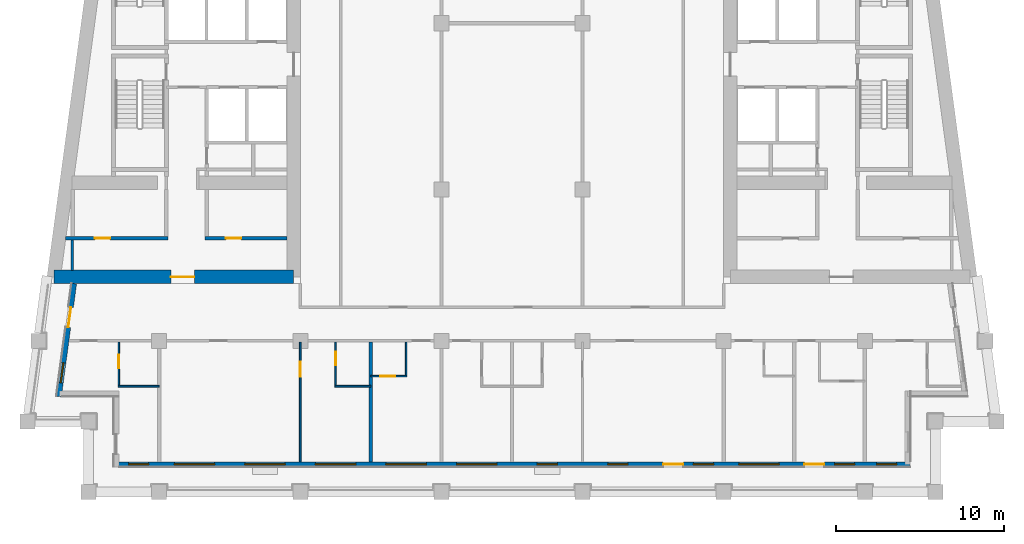
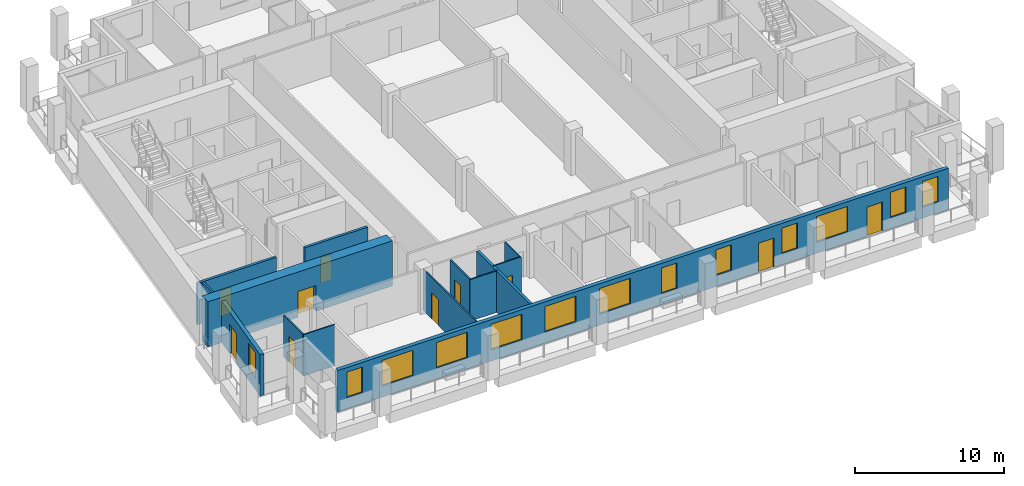
# One storey, part 2 of 12: 14 walls, 13 windows, 10 doors, 23 openings.
"""IFC4 building model written with IfcOpenShell, lengths in metres."""

from ifc_helpers import new_model, si_unit, direction, frame, frame_2d, origin, place, context, subcontext, project, spatial, rectangle, extrude, material, layer, layer_set, type_object, element, fill, save


model = new_model("IFC4")

# Units and contexts
model_context = context("Model", 3, precision=1e-05, world=origin(), true_north=direction((0.0, 1.0)))
body_context = subcontext(model_context, "Body", "Model", "MODEL_VIEW")
ifc_project = project(units=[si_unit("LENGTHUNIT", "METRE"), si_unit("AREAUNIT", "SQUARE_METRE"), si_unit("VOLUMEUNIT", "CUBIC_METRE"), si_unit("PLANEANGLEUNIT", "RADIAN"), si_unit("MASSUNIT", "GRAM", prefix="KILO")], contexts=[model_context])

# Site, building, storey
site_placement = place(None, origin())
site = spatial("IfcSite", under=ifc_project, at=site_placement, CompositionType="ELEMENT")
building_placement = place(site_placement, origin())
building = spatial("IfcBuilding", under=site, at=building_placement, Name="Candeia Pilgrim Tower and Theatre", CompositionType="ELEMENT")
storey_placement = place(building_placement, frame((0.0, 0.0, 235.5)))
storey = spatial("IfcBuildingStorey", under=building, at=storey_placement, Name="L57", CompositionType="ELEMENT", Elevation=235.5)

# Wall, opening, door
ifc_material_1 = material(Name="Concrete C50/60", Category="concrete")
ifc_layer_1 = layer(ifc_material_1, 0.800048828125)
ifc_layer_set_1 = layer_set([ifc_layer_1], Name="Core wall 800 C50/60")
wall_type_1 = type_object("IfcWallType", Name="Core wall 800 C50/60", PredefinedType="SHEAR", material=ifc_layer_set_1)
wall_1_placement = place(storey_placement, frame((100.39990234375, 110.800048828125, 0.0), z_axis=(0.0, 0.0, 1.0), x_axis=(-1.0, 0.0, 0.0)))
wall_1 = element("IfcWall", 1, at=wall_1_placement, inside=storey, type_object=wall_type_1, Name="Core wall W3", PredefinedType="SHEAR", context=body_context, shape_type="SweptSolid", body=[
    extrude(rectangle(XDim=14.273193359375, YDim=0.800048828125, at=frame_2d((7.13671875, 0.0))), origin(), (0.0, 0.0, 1.0), 3.699951171875),
])
opening_1_placement = place(wall_1_placement, frame((5.907958984375, 0.0, 0.0)))
opening_1 = element("IfcOpeningElement", 2, at=opening_1_placement, cuts=wall_1, Name="Opening L57-D047", PredefinedType="OPENING", context=body_context, shape_type="SweptSolid", body=[
    extrude(rectangle(XDim=1.39990234375, YDim=2.10009765625, at=frame_2d((0.699951171875, 1.050048828125))), frame((0.0, 0.41015625, 0.0), z_axis=(0.0, -1.0, 0.0), x_axis=(1.0, 0.0, 0.0)), (0.0, 0.0, 1.0), 0.820068359375),
])
ifc_material_2 = material(Name="Steel fire door set", Category="steel")
door_type_1 = type_object("IfcDoorType", Name="D-1400-FD60", OperationType="NOTDEFINED", PredefinedType="DOOR", material=ifc_material_2)
door_1_placement = place(opening_1_placement, origin())
door_1 = element("IfcDoor", 3, at=door_1_placement, inside=storey, type_object=door_type_1, Name="Door L57-D047", OperationType="SINGLE_SWING_RIGHT", OverallHeight=2.10009765625, OverallWidth=1.39990234375, PredefinedType="DOOR", context=body_context, shape_type="SweptSolid", body=[
    extrude(rectangle(XDim=1.39990234375, YDim=2.10009765625, at=frame_2d((0.699951171875, 1.050048828125))), frame((0.0, 0.02490234375, 0.0), z_axis=(0.0, -1.0, 0.0), x_axis=(1.0, 0.0, 0.0)), (0.0, 0.0, 1.0), 0.050048828125),
])
fill(opening_1, door_1)

# Wall, openings, doors, windows
ifc_material_3 = material(Name="Ceramic block masonry", Category="masonry")
ifc_layer_2 = layer(ifc_material_3, 0.300048828125)
ifc_layer_set_2 = layer_set([ifc_layer_2], Name="EW1 glazing-line wall 300")
wall_type_2 = type_object("IfcWallType", Name="EW1 glazing-line wall 300", PredefinedType="SOLIDWALL", material=ifc_layer_set_2)
wall_2_placement = place(storey_placement, frame((89.85009765625, 99.64990234375, 0.0), z_axis=(0.0, 0.0, 1.0), x_axis=(1.0, 0.0, 0.0)))
wall_2 = element("IfcWall", 4, at=wall_2_placement, inside=storey, type_object=wall_type_2, Name="External wall L57-0.0", PredefinedType="SOLIDWALL", context=body_context, shape_type="SweptSolid", body=[
    extrude(rectangle(XDim=47.25, YDim=0.300048828125, at=frame_2d((23.625, 0.0))), origin(), (0.0, 0.0, 1.0), 3.3798828125),
])
opening_2_placement = place(wall_2_placement, frame((0.72509765625, 0.0, 0.89990234375)))
opening_2 = element("IfcOpeningElement", 5, at=opening_2_placement, cuts=wall_2, Name="Opening W-B", PredefinedType="OPENING", context=body_context, shape_type="SweptSolid", body=[
    extrude(rectangle(XDim=1.199951171875, YDim=2.10009765625, at=frame_2d((0.60009765625, 1.050048828125))), frame((0.0, 0.16015625, 0.0), z_axis=(0.0, -1.0, 0.0), x_axis=(1.0, 0.0, 0.0)), (0.0, 0.0, 1.0), 0.320068359375),
])
opening_3_placement = place(wall_2_placement, frame((3.449951171875, 0.0, 0.89990234375)))
opening_3 = element("IfcOpeningElement", 6, at=opening_3_placement, cuts=wall_2, Name="Opening W-A", PredefinedType="OPENING", context=body_context, shape_type="SweptSolid", body=[
    extrude(rectangle(XDim=2.39990234375, YDim=2.10009765625, at=frame_2d((1.199951171875, 1.050048828125))), frame((0.0, 0.16015625, 0.0), z_axis=(0.0, -1.0, 0.0), x_axis=(1.0, 0.0, 0.0)), (0.0, 0.0, 1.0), 0.320068359375),
])
opening_4_placement = place(wall_2_placement, frame((7.64990234375, 0.0, 0.89990234375)))
opening_4 = element("IfcOpeningElement", 7, at=opening_4_placement, cuts=wall_2, Name="Opening W-A", PredefinedType="OPENING", context=body_context, shape_type="SweptSolid", body=[
    extrude(rectangle(XDim=2.39990234375, YDim=2.10009765625, at=frame_2d((1.199951171875, 1.050048828125))), frame((0.0, 0.16015625, 0.0), z_axis=(0.0, -1.0, 0.0), x_axis=(1.0, 0.0, 0.0)), (0.0, 0.0, 1.0), 0.320068359375),
])
opening_5_placement = place(wall_2_placement, frame((11.85009765625, 0.0, 0.89990234375)))
opening_5 = element("IfcOpeningElement", 8, at=opening_5_placement, cuts=wall_2, Name="Opening W-A", PredefinedType="OPENING", context=body_context, shape_type="SweptSolid", body=[
    extrude(rectangle(XDim=2.39990234375, YDim=2.10009765625, at=frame_2d((1.199951171875, 1.050048828125))), frame((0.0, 0.16015625, 0.0), z_axis=(0.0, -1.0, 0.0), x_axis=(1.0, 0.0, 0.0)), (0.0, 0.0, 1.0), 0.320068359375),
])
opening_6_placement = place(wall_2_placement, frame((16.050048828125, 0.0, 0.89990234375)))
opening_6 = element("IfcOpeningElement", 9, at=opening_6_placement, cuts=wall_2, Name="Opening W-A", PredefinedType="OPENING", context=body_context, shape_type="SweptSolid", body=[
    extrude(rectangle(XDim=2.39990234375, YDim=2.10009765625, at=frame_2d((1.199951171875, 1.050048828125))), frame((0.0, 0.16015625, 0.0), z_axis=(0.0, -1.0, 0.0), x_axis=(1.0, 0.0, 0.0)), (0.0, 0.0, 1.0), 0.320068359375),
])
opening_7_placement = place(wall_2_placement, frame((20.25, 0.0, 0.89990234375)))
opening_7 = element("IfcOpeningElement", 10, at=opening_7_placement, cuts=wall_2, Name="Opening W-A", PredefinedType="OPENING", context=body_context, shape_type="SweptSolid", body=[
    extrude(rectangle(XDim=2.39990234375, YDim=2.10009765625, at=frame_2d((1.199951171875, 1.050048828125))), frame((0.0, 0.16015625, 0.0), z_axis=(0.0, -1.0, 0.0), x_axis=(1.0, 0.0, 0.0)), (0.0, 0.0, 1.0), 0.320068359375),
])
opening_8_placement = place(wall_2_placement, frame((25.050048828125, 0.0, 0.89990234375)))
opening_8 = element("IfcOpeningElement", 11, at=opening_8_placement, cuts=wall_2, Name="Opening W-B", PredefinedType="OPENING", context=body_context, shape_type="SweptSolid", body=[
    extrude(rectangle(XDim=1.199951171875, YDim=2.10009765625, at=frame_2d((0.60009765625, 1.050048828125))), frame((0.0, 0.16015625, 0.0), z_axis=(0.0, -1.0, 0.0), x_axis=(1.0, 0.0, 0.0)), (0.0, 0.0, 1.0), 0.320068359375),
])
opening_9_placement = place(wall_2_placement, frame((29.25, 0.0, 0.89990234375)))
opening_9 = element("IfcOpeningElement", 12, at=opening_9_placement, cuts=wall_2, Name="Opening W-B", PredefinedType="OPENING", context=body_context, shape_type="SweptSolid", body=[
    extrude(rectangle(XDim=1.199951171875, YDim=2.10009765625, at=frame_2d((0.60009765625, 1.050048828125))), frame((0.0, 0.16015625, 0.0), z_axis=(0.0, -1.0, 0.0), x_axis=(1.0, 0.0, 0.0)), (0.0, 0.0, 1.0), 0.320068359375),
])
opening_10_placement = place(wall_2_placement, frame((32.550048828125, 0.0, 0.0)))
opening_10 = element("IfcOpeningElement", 13, at=opening_10_placement, cuts=wall_2, Name="Opening L57-ED546", PredefinedType="OPENING", context=body_context, shape_type="SweptSolid", body=[
    extrude(rectangle(XDim=1.199951171875, YDim=2.39990234375, at=frame_2d((0.60009765625, 1.199951171875))), frame((0.0, 0.16015625, 0.0), z_axis=(0.0, -1.0, 0.0), x_axis=(1.0, 0.0, 0.0)), (0.0, 0.0, 1.0), 0.320068359375),
])
opening_11_placement = place(wall_2_placement, frame((34.35009765625, 0.0, 0.89990234375)))
opening_11 = element("IfcOpeningElement", 14, at=opening_11_placement, cuts=wall_2, Name="Opening W-B", PredefinedType="OPENING", context=body_context, shape_type="SweptSolid", body=[
    extrude(rectangle(XDim=1.199951171875, YDim=2.10009765625, at=frame_2d((0.60009765625, 1.050048828125))), frame((0.0, 0.16015625, 0.0), z_axis=(0.0, -1.0, 0.0), x_axis=(1.0, 0.0, 0.0)), (0.0, 0.0, 1.0), 0.320068359375),
])
opening_12_placement = place(wall_2_placement, frame((37.050048828125, 0.0, 0.89990234375)))
opening_12 = element("IfcOpeningElement", 15, at=opening_12_placement, cuts=wall_2, Name="Opening W-A", PredefinedType="OPENING", context=body_context, shape_type="SweptSolid", body=[
    extrude(rectangle(XDim=2.39990234375, YDim=2.10009765625, at=frame_2d((1.199951171875, 1.050048828125))), frame((0.0, 0.16015625, 0.0), z_axis=(0.0, -1.0, 0.0), x_axis=(1.0, 0.0, 0.0)), (0.0, 0.0, 1.0), 0.320068359375),
])
opening_13_placement = place(wall_2_placement, frame((40.949951171875, 0.0, 0.0)))
opening_13 = element("IfcOpeningElement", 16, at=opening_13_placement, cuts=wall_2, Name="Opening L57-ED547", PredefinedType="OPENING", context=body_context, shape_type="SweptSolid", body=[
    extrude(rectangle(XDim=1.199951171875, YDim=2.39990234375, at=frame_2d((0.60009765625, 1.199951171875))), frame((0.0, 0.16015625, 0.0), z_axis=(0.0, -1.0, 0.0), x_axis=(1.0, 0.0, 0.0)), (0.0, 0.0, 1.0), 0.320068359375),
])
opening_14_placement = place(wall_2_placement, frame((42.75, 0.0, 0.89990234375)))
opening_14 = element("IfcOpeningElement", 17, at=opening_14_placement, cuts=wall_2, Name="Opening W-B", PredefinedType="OPENING", context=body_context, shape_type="SweptSolid", body=[
    extrude(rectangle(XDim=1.199951171875, YDim=2.10009765625, at=frame_2d((0.60009765625, 1.050048828125))), frame((0.0, 0.16015625, 0.0), z_axis=(0.0, -1.0, 0.0), x_axis=(1.0, 0.0, 0.0)), (0.0, 0.0, 1.0), 0.320068359375),
])
opening_15_placement = place(wall_2_placement, frame((45.25, 0.0, 0.89990234375)))
opening_15 = element("IfcOpeningElement", 18, at=opening_15_placement, cuts=wall_2, Name="Opening W-B", PredefinedType="OPENING", context=body_context, shape_type="SweptSolid", body=[
    extrude(rectangle(XDim=1.199951171875, YDim=2.10009765625, at=frame_2d((0.60009765625, 1.050048828125))), frame((0.0, 0.16015625, 0.0), z_axis=(0.0, -1.0, 0.0), x_axis=(1.0, 0.0, 0.0)), (0.0, 0.0, 1.0), 0.320068359375),
])
ifc_material_4 = material(Name="Aluminium framed glazed door", Category="aluminium")
door_type_2 = type_object("IfcDoorType", Name="Loggia door 1200x2400", OperationType="DOUBLE_DOOR_SINGLE_SWING", PredefinedType="DOOR", material=ifc_material_4)
door_2_placement = place(opening_10_placement, origin())
door_2 = element("IfcDoor", 19, at=door_2_placement, inside=storey, type_object=door_type_2, Name="Loggia door L57-ED546", OperationType="DOUBLE_DOOR_SINGLE_SWING", OverallHeight=2.39990234375, OverallWidth=1.199951171875, PredefinedType="DOOR", context=body_context, shape_type="SweptSolid", body=[
    extrude(rectangle(XDim=1.199951171875, YDim=2.39990234375, at=frame_2d((0.60009765625, 1.199951171875))), frame((0.0, 0.02490234375, 0.0), z_axis=(0.0, -1.0, 0.0), x_axis=(1.0, 0.0, 0.0)), (0.0, 0.0, 1.0), 0.050048828125),
])
fill(opening_10, door_2)
door_3_placement = place(opening_13_placement, origin())
door_3 = element("IfcDoor", 20, at=door_3_placement, inside=storey, type_object=door_type_2, Name="Loggia door L57-ED547", OperationType="DOUBLE_DOOR_SINGLE_SWING", OverallHeight=2.39990234375, OverallWidth=1.199951171875, PredefinedType="DOOR", context=body_context, shape_type="SweptSolid", body=[
    extrude(rectangle(XDim=1.199951171875, YDim=2.39990234375, at=frame_2d((0.60009765625, 1.199951171875))), frame((0.0, 0.02490234375, 0.0), z_axis=(0.0, -1.0, 0.0), x_axis=(1.0, 0.0, 0.0)), (0.0, 0.0, 1.0), 0.050048828125),
])
fill(opening_13, door_3)
ifc_material_5 = material(Name="Aluminium framed double glazing", Category="aluminium")
window_type_1 = type_object("IfcWindowType", Name="W-A window 2400x2100", PartitioningType="DOUBLE_PANEL_VERTICAL", PredefinedType="WINDOW", material=ifc_material_5)
window_1_placement = place(opening_3_placement, origin())
window_1 = element("IfcWindow", 21, at=window_1_placement, inside=storey, type_object=window_type_1, Name="Window W-A L57", OverallHeight=2.10009765625, OverallWidth=2.39990234375, PartitioningType="SINGLE_PANEL", PredefinedType="WINDOW", context=body_context, shape_type="SweptSolid", body=[
    extrude(rectangle(XDim=2.39990234375, YDim=2.10009765625, at=frame_2d((1.199951171875, 1.050048828125))), frame((0.0, 0.030029296875, 0.0), z_axis=(0.0, -1.0, 0.0), x_axis=(1.0, 0.0, 0.0)), (0.0, 0.0, 1.0), 0.06005859375),
])
fill(opening_3, window_1)
window_2_placement = place(opening_4_placement, origin())
window_2 = element("IfcWindow", 22, at=window_2_placement, inside=storey, type_object=window_type_1, Name="Window W-A L57", OverallHeight=2.10009765625, OverallWidth=2.39990234375, PartitioningType="SINGLE_PANEL", PredefinedType="WINDOW", context=body_context, shape_type="SweptSolid", body=[
    extrude(rectangle(XDim=2.39990234375, YDim=2.10009765625, at=frame_2d((1.199951171875, 1.050048828125))), frame((0.0, 0.030029296875, 0.0), z_axis=(0.0, -1.0, 0.0), x_axis=(1.0, 0.0, 0.0)), (0.0, 0.0, 1.0), 0.06005859375),
])
fill(opening_4, window_2)
window_3_placement = place(opening_5_placement, origin())
window_3 = element("IfcWindow", 23, at=window_3_placement, inside=storey, type_object=window_type_1, Name="Window W-A L57", OverallHeight=2.10009765625, OverallWidth=2.39990234375, PartitioningType="SINGLE_PANEL", PredefinedType="WINDOW", context=body_context, shape_type="SweptSolid", body=[
    extrude(rectangle(XDim=2.39990234375, YDim=2.10009765625, at=frame_2d((1.199951171875, 1.050048828125))), frame((0.0, 0.030029296875, 0.0), z_axis=(0.0, -1.0, 0.0), x_axis=(1.0, 0.0, 0.0)), (0.0, 0.0, 1.0), 0.06005859375),
])
fill(opening_5, window_3)
window_4_placement = place(opening_6_placement, origin())
window_4 = element("IfcWindow", 24, at=window_4_placement, inside=storey, type_object=window_type_1, Name="Window W-A L57", OverallHeight=2.10009765625, OverallWidth=2.39990234375, PartitioningType="SINGLE_PANEL", PredefinedType="WINDOW", context=body_context, shape_type="SweptSolid", body=[
    extrude(rectangle(XDim=2.39990234375, YDim=2.10009765625, at=frame_2d((1.199951171875, 1.050048828125))), frame((0.0, 0.030029296875, 0.0), z_axis=(0.0, -1.0, 0.0), x_axis=(1.0, 0.0, 0.0)), (0.0, 0.0, 1.0), 0.06005859375),
])
fill(opening_6, window_4)
window_5_placement = place(opening_7_placement, origin())
window_5 = element("IfcWindow", 25, at=window_5_placement, inside=storey, type_object=window_type_1, Name="Window W-A L57", OverallHeight=2.10009765625, OverallWidth=2.39990234375, PartitioningType="SINGLE_PANEL", PredefinedType="WINDOW", context=body_context, shape_type="SweptSolid", body=[
    extrude(rectangle(XDim=2.39990234375, YDim=2.10009765625, at=frame_2d((1.199951171875, 1.050048828125))), frame((0.0, 0.030029296875, 0.0), z_axis=(0.0, -1.0, 0.0), x_axis=(1.0, 0.0, 0.0)), (0.0, 0.0, 1.0), 0.06005859375),
])
fill(opening_7, window_5)
window_6_placement = place(opening_12_placement, origin())
window_6 = element("IfcWindow", 26, at=window_6_placement, inside=storey, type_object=window_type_1, Name="Window W-A L57", OverallHeight=2.10009765625, OverallWidth=2.39990234375, PartitioningType="SINGLE_PANEL", PredefinedType="WINDOW", context=body_context, shape_type="SweptSolid", body=[
    extrude(rectangle(XDim=2.39990234375, YDim=2.10009765625, at=frame_2d((1.199951171875, 1.050048828125))), frame((0.0, 0.030029296875, 0.0), z_axis=(0.0, -1.0, 0.0), x_axis=(1.0, 0.0, 0.0)), (0.0, 0.0, 1.0), 0.06005859375),
])
fill(opening_12, window_6)
window_type_2 = type_object("IfcWindowType", Name="W-B window 1200x2100", PartitioningType="SINGLE_PANEL", PredefinedType="WINDOW", material=ifc_material_5)
window_7_placement = place(opening_2_placement, origin())
window_7 = element("IfcWindow", 27, at=window_7_placement, inside=storey, type_object=window_type_2, Name="Window W-B L57", OverallHeight=2.10009765625, OverallWidth=1.199951171875, PartitioningType="SINGLE_PANEL", PredefinedType="WINDOW", context=body_context, shape_type="SweptSolid", body=[
    extrude(rectangle(XDim=1.199951171875, YDim=2.10009765625, at=frame_2d((0.60009765625, 1.050048828125))), frame((0.0, 0.030029296875, 0.0), z_axis=(0.0, -1.0, 0.0), x_axis=(1.0, 0.0, 0.0)), (0.0, 0.0, 1.0), 0.06005859375),
])
fill(opening_2, window_7)
window_8_placement = place(opening_8_placement, origin())
window_8 = element("IfcWindow", 28, at=window_8_placement, inside=storey, type_object=window_type_2, Name="Window W-B L57", OverallHeight=2.10009765625, OverallWidth=1.199951171875, PartitioningType="SINGLE_PANEL", PredefinedType="WINDOW", context=body_context, shape_type="SweptSolid", body=[
    extrude(rectangle(XDim=1.199951171875, YDim=2.10009765625, at=frame_2d((0.60009765625, 1.050048828125))), frame((0.0, 0.030029296875, 0.0), z_axis=(0.0, -1.0, 0.0), x_axis=(1.0, 0.0, 0.0)), (0.0, 0.0, 1.0), 0.06005859375),
])
fill(opening_8, window_8)
window_9_placement = place(opening_9_placement, origin())
window_9 = element("IfcWindow", 29, at=window_9_placement, inside=storey, type_object=window_type_2, Name="Window W-B L57", OverallHeight=2.10009765625, OverallWidth=1.199951171875, PartitioningType="SINGLE_PANEL", PredefinedType="WINDOW", context=body_context, shape_type="SweptSolid", body=[
    extrude(rectangle(XDim=1.199951171875, YDim=2.10009765625, at=frame_2d((0.60009765625, 1.050048828125))), frame((0.0, 0.030029296875, 0.0), z_axis=(0.0, -1.0, 0.0), x_axis=(1.0, 0.0, 0.0)), (0.0, 0.0, 1.0), 0.06005859375),
])
fill(opening_9, window_9)
window_10_placement = place(opening_11_placement, origin())
window_10 = element("IfcWindow", 30, at=window_10_placement, inside=storey, type_object=window_type_2, Name="Window W-B L57", OverallHeight=2.10009765625, OverallWidth=1.199951171875, PartitioningType="SINGLE_PANEL", PredefinedType="WINDOW", context=body_context, shape_type="SweptSolid", body=[
    extrude(rectangle(XDim=1.199951171875, YDim=2.10009765625, at=frame_2d((0.60009765625, 1.050048828125))), frame((0.0, 0.030029296875, 0.0), z_axis=(0.0, -1.0, 0.0), x_axis=(1.0, 0.0, 0.0)), (0.0, 0.0, 1.0), 0.06005859375),
])
fill(opening_11, window_10)
window_11_placement = place(opening_14_placement, origin())
window_11 = element("IfcWindow", 31, at=window_11_placement, inside=storey, type_object=window_type_2, Name="Window W-B L57", OverallHeight=2.10009765625, OverallWidth=1.199951171875, PartitioningType="SINGLE_PANEL", PredefinedType="WINDOW", context=body_context, shape_type="SweptSolid", body=[
    extrude(rectangle(XDim=1.199951171875, YDim=2.10009765625, at=frame_2d((0.60009765625, 1.050048828125))), frame((0.0, 0.030029296875, 0.0), z_axis=(0.0, -1.0, 0.0), x_axis=(1.0, 0.0, 0.0)), (0.0, 0.0, 1.0), 0.06005859375),
])
fill(opening_14, window_11)
window_12_placement = place(opening_15_placement, origin())
window_12 = element("IfcWindow", 32, at=window_12_placement, inside=storey, type_object=window_type_2, Name="Window W-B L57", OverallHeight=2.10009765625, OverallWidth=1.199951171875, PartitioningType="SINGLE_PANEL", PredefinedType="WINDOW", context=body_context, shape_type="SweptSolid", body=[
    extrude(rectangle(XDim=1.199951171875, YDim=2.10009765625, at=frame_2d((0.60009765625, 1.050048828125))), frame((0.0, 0.030029296875, 0.0), z_axis=(0.0, -1.0, 0.0), x_axis=(1.0, 0.0, 0.0)), (0.0, 0.0, 1.0), 0.06005859375),
])
fill(opening_15, window_12)

# Wall, openings, door, window
wall_3_placement = place(storey_placement, frame((87.334228515625, 110.39990234375, 0.0), z_axis=(0.0, 0.0, 1.0), x_axis=(-0.133437175554, -0.991057273915, 0.0)))
wall_3 = element("IfcWall", 33, at=wall_3_placement, inside=storey, type_object=wall_type_2, Name="External wall L57-9.1", PredefinedType="SOLIDWALL", context=body_context, shape_type="SweptSolid", body=[
    extrude(rectangle(XDim=6.780517578125, YDim=0.300048828125, at=frame_2d((3.39013671875, 0.0))), origin(), (0.0, 0.0, 1.0), 3.3798828125),
])
opening_16_placement = place(wall_3_placement, frame((1.41796875, 0.0, 0.0)))
opening_16 = element("IfcOpeningElement", 34, at=opening_16_placement, cuts=wall_3, Name="Opening L57-ED555", PredefinedType="OPENING", context=body_context, shape_type="SweptSolid", body=[
    extrude(rectangle(XDim=1.199951171875, YDim=2.39990234375, at=frame_2d((0.60009765625, 1.199951171875))), frame((0.0, 0.16015625, 0.0), z_axis=(0.0, -1.0, 0.0), x_axis=(1.0, 0.0, 0.0)), (0.0, 0.0, 1.0), 0.320068359375),
])
opening_17_placement = place(wall_3_placement, frame((4.75830078125, 0.0, 0.89990234375)))
opening_17 = element("IfcOpeningElement", 35, at=opening_17_placement, cuts=wall_3, Name="Opening W-B", PredefinedType="OPENING", context=body_context, shape_type="SweptSolid", body=[
    extrude(rectangle(XDim=1.199951171875, YDim=2.10009765625, at=frame_2d((0.60009765625, 1.050048828125))), frame((0.0, 0.16015625, 0.0), z_axis=(0.0, -1.0, 0.0), x_axis=(1.0, 0.0, 0.0)), (0.0, 0.0, 1.0), 0.320068359375),
])
door_4_placement = place(opening_16_placement, origin())
door_4 = element("IfcDoor", 36, at=door_4_placement, inside=storey, type_object=door_type_2, Name="Loggia door L57-ED555", OperationType="DOUBLE_DOOR_SINGLE_SWING", OverallHeight=2.39990234375, OverallWidth=1.199951171875, PredefinedType="DOOR", context=body_context, shape_type="SweptSolid", body=[
    extrude(rectangle(XDim=1.199951171875, YDim=2.39990234375, at=frame_2d((0.60009765625, 1.199951171875))), frame((0.0, 0.02490234375, 0.0), z_axis=(0.0, -1.0, 0.0), x_axis=(1.0, 0.0, 0.0)), (0.0, 0.0, 1.0), 0.050048828125),
])
fill(opening_16, door_4)
window_13_placement = place(opening_17_placement, origin())
window_13 = element("IfcWindow", 37, at=window_13_placement, inside=storey, type_object=window_type_2, Name="Window W-B L57", OverallHeight=2.10009765625, OverallWidth=1.199951171875, PartitioningType="SINGLE_PANEL", PredefinedType="WINDOW", context=body_context, shape_type="SweptSolid", body=[
    extrude(rectangle(XDim=1.199951171875, YDim=2.10009765625, at=frame_2d((0.60009765625, 1.050048828125))), frame((0.0, 0.030029296875, 0.0), z_axis=(0.0, -1.0, 0.0), x_axis=(1.0, 0.0, 0.0)), (0.0, 0.0, 1.0), 0.06005859375),
])
fill(opening_17, window_13)

# Walls
ifc_material_6 = material(Name="Gypsum board partition on steel studs", Category="steel")
ifc_layer_3 = layer(ifc_material_6, 0.10009765625)
ifc_layer_set_3 = layer_set([ifc_layer_3], Name="PW-100 room partition")
wall_type_3 = type_object("IfcWallType", Name="PW-100 room partition", PredefinedType="PARTITIONING", material=ifc_layer_set_3)
wall_4_placement = place(storey_placement, frame((89.949951171875, 104.300048828125, 0.0), z_axis=(0.0, 0.0, 1.0), x_axis=(1.0, 0.0, 0.0)))
element("IfcWall", 38, at=wall_4_placement, inside=storey, type_object=wall_type_3, Name="Room partition L57-001", PredefinedType="PARTITIONING", context=body_context, shape_type="SweptSolid", body=[
    extrude(rectangle(XDim=2.449951171875, YDim=0.10009765625, at=frame_2d((1.22509765625, 0.0))), origin(), (0.0, 0.0, 1.0), 3.3798828125),
])
wall_5_placement = place(storey_placement, frame((102.85009765625, 104.300048828125, 0.0), z_axis=(0.0, 0.0, 1.0), x_axis=(1.0, 0.0, 0.0)))
element("IfcWall", 39, at=wall_5_placement, inside=storey, type_object=wall_type_3, Name="Room partition L57-002", PredefinedType="PARTITIONING", context=body_context, shape_type="SweptSolid", body=[
    extrude(rectangle(XDim=2.14990234375, YDim=0.10009765625, at=frame_2d((1.074951171875, 0.0))), origin(), (0.0, 0.0, 1.0), 3.3798828125),
])

# Wall, opening, door
wall_6_placement = place(storey_placement, frame((105.0, 104.89990234375, 0.0), z_axis=(0.0, 0.0, 1.0), x_axis=(1.0, 0.0, 0.0)))
wall_6 = element("IfcWall", 40, at=wall_6_placement, inside=storey, type_object=wall_type_3, Name="Room partition L57-006", PredefinedType="PARTITIONING", context=body_context, shape_type="SweptSolid", body=[
    extrude(rectangle(XDim=2.14990234375, YDim=0.10009765625, at=frame_2d((1.074951171875, 0.0))), origin(), (0.0, 0.0, 1.0), 3.3798828125),
])
opening_18_placement = place(wall_6_placement, frame((0.550048828125, 0.0, 0.0)))
opening_18 = element("IfcOpeningElement", 41, at=opening_18_placement, cuts=wall_6, Name="Opening L57-D019", PredefinedType="OPENING", context=body_context, shape_type="SweptSolid", body=[
    extrude(rectangle(XDim=0.89990234375, YDim=2.10009765625, at=frame_2d((0.449951171875, 1.050048828125))), frame((0.0, 0.06005859375, 0.0), z_axis=(0.0, -1.0, 0.0), x_axis=(1.0, 0.0, 0.0)), (0.0, 0.0, 1.0), 0.1201171875),
])
ifc_material_7 = material(Name="Timber door leaf", Category="wood")
door_type_3 = type_object("IfcDoorType", Name="D-900", OperationType="NOTDEFINED", PredefinedType="DOOR", material=ifc_material_7)
door_5_placement = place(opening_18_placement, origin())
door_5 = element("IfcDoor", 42, at=door_5_placement, inside=storey, type_object=door_type_3, Name="Door L57-D019", OperationType="SINGLE_SWING_RIGHT", OverallHeight=2.10009765625, OverallWidth=0.89990234375, PredefinedType="DOOR", context=body_context, shape_type="SweptSolid", body=[
    extrude(rectangle(XDim=0.89990234375, YDim=2.10009765625, at=frame_2d((0.449951171875, 1.050048828125))), frame((0.0, 0.02490234375, 0.0), z_axis=(0.0, -1.0, 0.0), x_axis=(1.0, 0.0, 0.0)), (0.0, 0.0, 1.0), 0.050048828125),
])
fill(opening_18, door_5)

wall_7_placement = place(storey_placement, frame((90.0, 104.35009765625, 0.0), z_axis=(0.0, 0.0, 1.0), x_axis=(0.0, 1.0, 0.0)))
wall_7 = element("IfcWall", 43, at=wall_7_placement, inside=storey, type_object=wall_type_3, Name="Room partition L57-049", PredefinedType="PARTITIONING", context=body_context, shape_type="SweptSolid", body=[
    extrude(rectangle(XDim=2.574951171875, YDim=0.10009765625, at=frame_2d((1.28759765625, 0.0))), origin(), (0.0, 0.0, 1.0), 3.3798828125),
])
opening_19_placement = place(wall_7_placement, frame((1.02001953125, 0.0, 0.0)))
opening_19 = element("IfcOpeningElement", 44, at=opening_19_placement, cuts=wall_7, Name="Opening L57-D014", PredefinedType="OPENING", context=body_context, shape_type="SweptSolid", body=[
    extrude(rectangle(XDim=0.800048828125, YDim=2.10009765625, at=frame_2d((0.39990234375, 1.050048828125))), frame((0.0, 0.06005859375, 0.0), z_axis=(0.0, -1.0, 0.0), x_axis=(1.0, 0.0, 0.0)), (0.0, 0.0, 1.0), 0.1201171875),
])
door_type_4 = type_object("IfcDoorType", Name="D-800", OperationType="NOTDEFINED", PredefinedType="DOOR", material=ifc_material_7)
door_6_placement = place(opening_19_placement, origin())
door_6 = element("IfcDoor", 45, at=door_6_placement, inside=storey, type_object=door_type_4, Name="Door L57-D014", OperationType="SINGLE_SWING_LEFT", OverallHeight=2.10009765625, OverallWidth=0.800048828125, PredefinedType="DOOR", context=body_context, shape_type="SweptSolid", body=[
    extrude(rectangle(XDim=0.800048828125, YDim=2.10009765625, at=frame_2d((0.39990234375, 1.050048828125))), frame((0.0, 0.02490234375, 0.0), z_axis=(0.0, -1.0, 0.0), x_axis=(1.0, 0.0, 0.0)), (0.0, 0.0, 1.0), 0.050048828125),
])
fill(opening_19, door_6)

wall_8_placement = place(storey_placement, frame((100.800048828125, 99.7900390625, 0.0), z_axis=(0.0, 0.0, 1.0), x_axis=(0.0, 1.0, 0.0)))
wall_8 = element("IfcWall", 46, at=wall_8_placement, inside=storey, type_object=wall_type_3, Name="Room partition L57-065", PredefinedType="PARTITIONING", context=body_context, shape_type="SweptSolid", body=[
    extrude(rectangle(XDim=7.135009765625, YDim=0.10009765625, at=frame_2d((3.5673828125, 0.0))), origin(), (0.0, 0.0, 1.0), 3.3798828125),
])
opening_20_placement = place(wall_8_placement, frame((5.074951171875, 0.0, 0.0)))
opening_20 = element("IfcOpeningElement", 47, at=opening_20_placement, cuts=wall_8, Name="Opening L57-D016", PredefinedType="OPENING", context=body_context, shape_type="SweptSolid", body=[
    extrude(rectangle(XDim=0.89990234375, YDim=2.10009765625, at=frame_2d((0.449951171875, 1.050048828125))), frame((0.0, 0.06005859375, 0.0), z_axis=(0.0, -1.0, 0.0), x_axis=(1.0, 0.0, 0.0)), (0.0, 0.0, 1.0), 0.1201171875),
])
door_7_placement = place(opening_20_placement, origin())
door_7 = element("IfcDoor", 48, at=door_7_placement, inside=storey, type_object=door_type_3, Name="Door L57-D016", OperationType="SINGLE_SWING_LEFT", OverallHeight=2.10009765625, OverallWidth=0.89990234375, PredefinedType="DOOR", context=body_context, shape_type="SweptSolid", body=[
    extrude(rectangle(XDim=0.89990234375, YDim=2.10009765625, at=frame_2d((0.449951171875, 1.050048828125))), frame((0.0, 0.02490234375, 0.0), z_axis=(0.0, -1.0, 0.0), x_axis=(1.0, 0.0, 0.0)), (0.0, 0.0, 1.0), 0.050048828125),
])
fill(opening_20, door_7)

wall_9_placement = place(storey_placement, frame((102.89990234375, 104.35009765625, 0.0), z_axis=(0.0, 0.0, 1.0), x_axis=(0.0, 1.0, 0.0)))
wall_9 = element("IfcWall", 49, at=wall_9_placement, inside=storey, type_object=wall_type_3, Name="Room partition L57-069", PredefinedType="PARTITIONING", context=body_context, shape_type="SweptSolid", body=[
    extrude(rectangle(XDim=2.574951171875, YDim=0.10009765625, at=frame_2d((1.28759765625, 0.0))), origin(), (0.0, 0.0, 1.0), 3.3798828125),
])
opening_21_placement = place(wall_9_placement, frame((1.199951171875, 0.0, 0.0)))
opening_21 = element("IfcOpeningElement", 50, at=opening_21_placement, cuts=wall_9, Name="Opening L57-D017", PredefinedType="OPENING", context=body_context, shape_type="SweptSolid", body=[
    extrude(rectangle(XDim=0.800048828125, YDim=2.10009765625, at=frame_2d((0.39990234375, 1.050048828125))), frame((0.0, 0.06005859375, 0.0), z_axis=(0.0, -1.0, 0.0), x_axis=(1.0, 0.0, 0.0)), (0.0, 0.0, 1.0), 0.1201171875),
])
door_8_placement = place(opening_21_placement, origin())
door_8 = element("IfcDoor", 51, at=door_8_placement, inside=storey, type_object=door_type_4, Name="Door L57-D017", OperationType="SINGLE_SWING_RIGHT", OverallHeight=2.10009765625, OverallWidth=0.800048828125, PredefinedType="DOOR", context=body_context, shape_type="SweptSolid", body=[
    extrude(rectangle(XDim=0.800048828125, YDim=2.10009765625, at=frame_2d((0.39990234375, 1.050048828125))), frame((0.0, 0.02490234375, 0.0), z_axis=(0.0, -1.0, 0.0), x_axis=(1.0, 0.0, 0.0)), (0.0, 0.0, 1.0), 0.050048828125),
])
fill(opening_21, door_8)

# Walls
wall_10_placement = place(storey_placement, frame((107.10009765625, 104.949951171875, 0.0), z_axis=(0.0, 0.0, 1.0), x_axis=(0.0, 1.0, 0.0)))
element("IfcWall", 52, at=wall_10_placement, inside=storey, type_object=wall_type_3, Name="Room partition L57-072", PredefinedType="PARTITIONING", context=body_context, shape_type="SweptSolid", body=[
    extrude(rectangle(XDim=1.97509765625, YDim=0.10009765625, at=frame_2d((0.987548828125, 0.0))), origin(), (0.0, 0.0, 1.0), 3.3798828125),
])
ifc_layer_4 = layer(ifc_material_6, 0.14990234375)
ifc_layer_set_4 = layer_set([ifc_layer_4], Name="PW-150 lobby wall")
wall_type_4 = type_object("IfcWallType", Name="PW-150 lobby wall", PredefinedType="PARTITIONING", material=ifc_layer_set_4)
wall_11_placement = place(storey_placement, frame((87.22705078125, 111.199951171875, 0.0), z_axis=(0.0, 0.0, 1.0), x_axis=(0.0, 1.0, 0.0)))
element("IfcWall", 53, at=wall_11_placement, inside=storey, type_object=wall_type_4, Name="Lobby wall L57-046", PredefinedType="PARTITIONING", context=body_context, shape_type="SweptSolid", body=[
    extrude(rectangle(XDim=1.800048828125, YDim=0.14990234375, at=frame_2d((0.89990234375, 0.0))), origin(), (0.0, 0.0, 1.0), 3.3798828125),
])
ifc_layer_5 = layer(ifc_material_6, 0.199951171875)
ifc_layer_set_5 = layer_set([ifc_layer_5], Name="PW-200 party wall")
wall_type_5 = type_object("IfcWallType", Name="PW-200 party wall", PredefinedType="PARTITIONING", material=ifc_layer_set_5)
wall_12_placement = place(storey_placement, frame((105.0, 99.7900390625, 0.0), z_axis=(0.0, 0.0, 1.0), x_axis=(0.0, 1.0, 0.0)))
element("IfcWall", 54, at=wall_12_placement, inside=storey, type_object=wall_type_5, Name="Party wall L57-071", PredefinedType="PARTITIONING", context=body_context, shape_type="SweptSolid", body=[
    extrude(rectangle(XDim=7.135009765625, YDim=0.199951171875, at=frame_2d((3.5673828125, 0.0))), origin(), (0.0, 0.0, 1.0), 3.3798828125),
])

# Wall, opening, door
ifc_material_8 = material(Name="Concrete C40/50", Category="concrete")
ifc_layer_6 = layer(ifc_material_8, 0.199951171875)
ifc_layer_set_6 = layer_set([ifc_layer_6], Name="SW-200 shaft wall")
wall_type_6 = type_object("IfcWallType", Name="SW-200 shaft wall", PredefinedType="PARTITIONING", material=ifc_layer_set_6)
wall_13_placement = place(storey_placement, frame((86.809814453125, 113.10009765625, 0.0), z_axis=(0.0, 0.0, 1.0), x_axis=(1.0, 0.0, 0.0)))
wall_13 = element("IfcWall", 55, at=wall_13_placement, inside=storey, type_object=wall_type_6, Name="Shaft wall L57-010", PredefinedType="PARTITIONING", context=body_context, shape_type="SweptSolid", body=[
    extrude(rectangle(XDim=6.1171875, YDim=0.199951171875, at=frame_2d((3.05859375, 0.0))), origin(), (0.0, 0.0, 1.0), 3.3798828125),
])
opening_22_placement = place(wall_13_placement, frame((1.76708984375, 0.0, 0.0)))
opening_22 = element("IfcOpeningElement", 56, at=opening_22_placement, cuts=wall_13, Name="Opening L57-D005", PredefinedType="OPENING", context=body_context, shape_type="SweptSolid", body=[
    extrude(rectangle(XDim=0.89990234375, YDim=2.10009765625, at=frame_2d((0.449951171875, 1.050048828125))), frame((0.0, 0.10986328125, 0.0), z_axis=(0.0, -1.0, 0.0), x_axis=(1.0, 0.0, 0.0)), (0.0, 0.0, 1.0), 0.219970703125),
])
door_type_5 = type_object("IfcDoorType", Name="D-900-FD60", OperationType="NOTDEFINED", PredefinedType="DOOR", material=ifc_material_2)
door_9_placement = place(opening_22_placement, origin())
door_9 = element("IfcDoor", 57, at=door_9_placement, inside=storey, type_object=door_type_5, Name="Door L57-D005", OperationType="SINGLE_SWING_RIGHT", OverallHeight=2.10009765625, OverallWidth=0.89990234375, PredefinedType="DOOR", context=body_context, shape_type="SweptSolid", body=[
    extrude(rectangle(XDim=0.89990234375, YDim=2.10009765625, at=frame_2d((0.449951171875, 1.050048828125))), frame((0.0, 0.02490234375, 0.0), z_axis=(0.0, -1.0, 0.0), x_axis=(1.0, 0.0, 0.0)), (0.0, 0.0, 1.0), 0.050048828125),
])
fill(opening_22, door_9)

wall_14_placement = place(storey_placement, frame((95.126953125, 113.10009765625, 0.0), z_axis=(0.0, 0.0, 1.0), x_axis=(1.0, 0.0, 0.0)))
wall_14 = element("IfcWall", 58, at=wall_14_placement, inside=storey, type_object=wall_type_6, Name="Shaft wall L57-011", PredefinedType="PARTITIONING", context=body_context, shape_type="SweptSolid", body=[
    extrude(rectangle(XDim=4.873046875, YDim=0.199951171875, at=frame_2d((2.4365234375, 0.0))), origin(), (0.0, 0.0, 1.0), 3.3798828125),
])
opening_23_placement = place(wall_14_placement, frame((1.242919921875, 0.0, 0.0)))
opening_23 = element("IfcOpeningElement", 59, at=opening_23_placement, cuts=wall_14, Name="Opening L57-D006", PredefinedType="OPENING", context=body_context, shape_type="SweptSolid", body=[
    extrude(rectangle(XDim=0.89990234375, YDim=2.10009765625, at=frame_2d((0.449951171875, 1.050048828125))), frame((0.0, 0.10986328125, 0.0), z_axis=(0.0, -1.0, 0.0), x_axis=(1.0, 0.0, 0.0)), (0.0, 0.0, 1.0), 0.219970703125),
])
door_10_placement = place(opening_23_placement, origin())
door_10 = element("IfcDoor", 60, at=door_10_placement, inside=storey, type_object=door_type_5, Name="Door L57-D006", OperationType="SINGLE_SWING_LEFT", OverallHeight=2.10009765625, OverallWidth=0.89990234375, PredefinedType="DOOR", context=body_context, shape_type="SweptSolid", body=[
    extrude(rectangle(XDim=0.89990234375, YDim=2.10009765625, at=frame_2d((0.449951171875, 1.050048828125))), frame((0.0, 0.02490234375, 0.0), z_axis=(0.0, -1.0, 0.0), x_axis=(1.0, 0.0, 0.0)), (0.0, 0.0, 1.0), 0.050048828125),
])
fill(opening_23, door_10)

save(model, "model.ifc")
